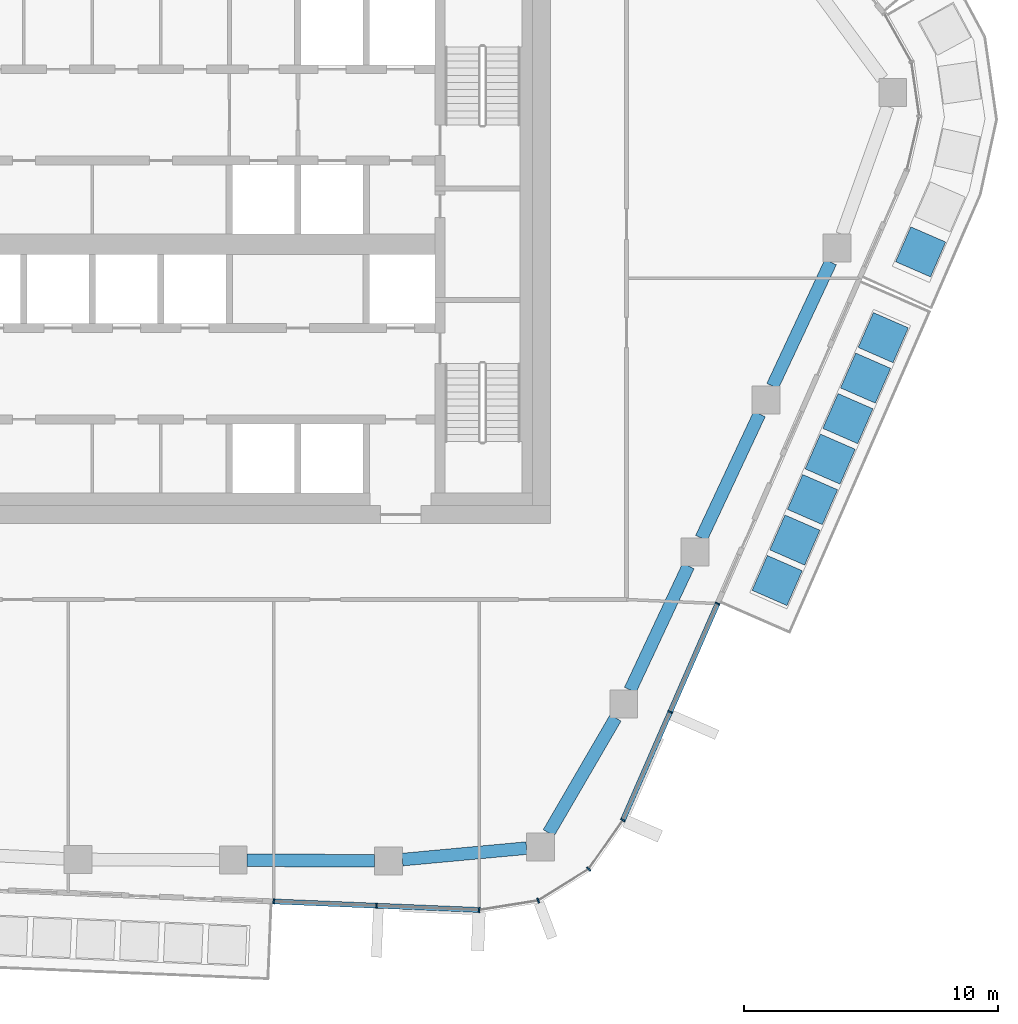
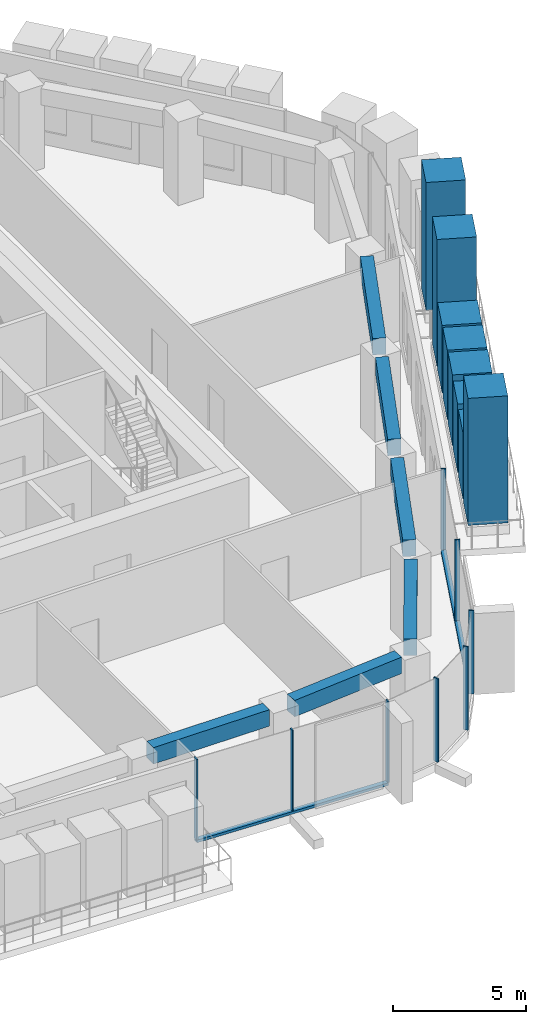
# One storey, part 4 of 20: 18 members, 6 beams, 3 elements without a shape of their own.
"""IFC4 building model written with IfcOpenShell, lengths in metres."""

import ifcopenshell
import ifcopenshell.guid

model = None  # the IFC model being written
_history = None  # IfcOwnerHistory: only IFC2X3 demands one
_inside = {}  # id of a spatial element -> (the spatial element, [elements in it])
_under = {}  # id of a project, library or spatial element -> (it, [spatial elements below it])
_declared = {}  # id of a project -> (the project, [libraries it declares])
_typed = {}  # id of a type object -> (the type object, [elements of that type])
_made_of = {}  # id of a material, layer set ... -> (it, [elements and type objects made of it])


def new_model(schema):
    """Start an empty IFC model of exactly this schema.

    Asked for "IFC4X3", IfcOpenShell would pick the latest addendum, in which some entities
    have other attributes; the version numbers below select the first issue.
    IFC2X3 requires an IfcOwnerHistory on every rooted entity: one is made here for all.
    """
    global model, _history
    if schema == "IFC4X3":
        model = ifcopenshell.file(schema_version=(4, 3, 0, 0))
    else:
        model = ifcopenshell.file(schema=schema)
    _inside.clear()
    _under.clear()
    _declared.clear()
    _typed.clear()
    _made_of.clear()
    _history = None
    if model.schema == "IFC2X3":
        org = make("IfcOrganization", Name="unknown")
        user = make(
            "IfcPersonAndOrganization",
            ThePerson=make("IfcPerson", FamilyName="unknown"),
            TheOrganization=org,
        )
        app = make(
            "IfcApplication",
            ApplicationDeveloper=org,
            Version="unknown",
            ApplicationFullName="unknown",
            ApplicationIdentifier="unknown",
        )
        _history = make(
            "IfcOwnerHistory",
            OwningUser=user,
            OwningApplication=app,
            ChangeAction="ADDED",
            CreationDate=0,
        )
    return model


def make(cls, **values):
    """One entity of the class cls with the attributes given. An attribute that is None is left unset."""
    return model.create_entity(
        cls, **{name: value for name, value in values.items() if value is not None}
    )


def rooted(cls, **values):
    """An entity with a GlobalId (a new one), such as an element, a storey or a relation."""
    return make(cls, GlobalId=ifcopenshell.guid.new(), OwnerHistory=_history, **values)


def si_unit(unit_type, name, prefix=None):
    """IfcSIUnit, for example si_unit("LENGTHUNIT", "METRE", prefix="MILLI")."""
    return make("IfcSIUnit", UnitType=unit_type, Prefix=prefix, Name=name)


def assignment(units):
    """IfcUnitAssignment: the units of a project."""
    return None if units is None else make("IfcUnitAssignment", Units=units)


def point(xyz):
    """IfcCartesianPoint."""
    return None if xyz is None else make("IfcCartesianPoint", Coordinates=xyz)


def direction(xyz):
    """IfcDirection."""
    return None if xyz is None else make("IfcDirection", DirectionRatios=xyz)


def frame(location, z_axis=None, x_axis=None):
    """IfcAxis2Placement3D, a coordinate frame: its origin and axes. An axis left out is left unset."""
    return make(
        "IfcAxis2Placement3D",
        Location=point(location),
        Axis=direction(z_axis),
        RefDirection=direction(x_axis),
    )


def frame_2d(location, x_axis=None):
    """IfcAxis2Placement2D, a coordinate frame in the plane: its origin and x axis."""
    return make(
        "IfcAxis2Placement2D", Location=point(location), RefDirection=direction(x_axis)
    )


def origin():
    """The frame at (0, 0, 0) with its axes left unset."""
    return frame((0.0, 0.0, 0.0))


def origin_2d():
    """The frame at (0, 0) in the plane with its x axis left unset."""
    return frame_2d((0.0, 0.0))


def place(relative_to, where):
    """IfcLocalPlacement: puts the frame where relative to a parent placement (None: the world)."""
    return make(
        "IfcLocalPlacement", PlacementRelTo=relative_to, RelativePlacement=where
    )


def context(
    kind, dimensions, precision=None, world=None, true_north=None, identifier=None
):
    """IfcGeometricRepresentationContext, for example the 3D "Model" context."""
    return make(
        "IfcGeometricRepresentationContext",
        ContextIdentifier=identifier,
        ContextType=kind,
        CoordinateSpaceDimension=dimensions,
        Precision=precision,
        WorldCoordinateSystem=world,
        TrueNorth=true_north,
    )


def subcontext(parent, identifier, kind, view, scale=None):
    """IfcGeometricRepresentationSubContext, for example "Body" below "Model"."""
    return make(
        "IfcGeometricRepresentationSubContext",
        ContextIdentifier=identifier,
        ContextType=kind,
        ParentContext=parent,
        TargetScale=scale,
        TargetView=view,
    )


def project(units=None, contexts=None):
    """IfcProject with its units and contexts."""
    return rooted(
        "IfcProject",
        Name="project",
        RepresentationContexts=contexts,
        UnitsInContext=assignment(units),
    )


def spatial(cls, under=None, at=None, **own):
    """A site, building, storey or space (cls), placed at a placement, below another one or the project."""
    s = rooted(cls, ObjectPlacement=at, **own)
    if under is not None:
        _under.setdefault(under.id(), (under, []))[1].append(s)
    return s


def profile(cls, at=None, kind="AREA", **sizes):
    """A parametric profile (cls). Its sizes go by their IFC names, for example OverallWidth=200.0."""
    return make(cls, ProfileType=kind, Position=at, **sizes)


def rectangle(**sizes):
    """IfcRectangleProfileDef."""
    return profile("IfcRectangleProfileDef", **sizes)


def extrude(swept, where, along, depth):
    """IfcExtrudedAreaSolid: the profile swept, set in the frame where, extruded along a direction by depth."""
    return make(
        "IfcExtrudedAreaSolid",
        SweptArea=swept,
        Position=where,
        ExtrudedDirection=direction(along),
        Depth=depth,
    )


def shape(context_of_items, identifier, shape_type, items):
    """IfcShapeRepresentation: the items that make up one representation, for example the "Body"."""
    return make(
        "IfcShapeRepresentation",
        ContextOfItems=context_of_items,
        RepresentationIdentifier=identifier,
        RepresentationType=shape_type,
        Items=items,
    )


def material(Name=None, Category=None):
    """IfcMaterial."""
    return make("IfcMaterial", Name=Name, Category=Category)


def layer(
    of_material, thickness, ventilated=None, Name=None, Category=None, Priority=None
):
    """IfcMaterialLayer: one layer of a wall or slab, of a material (None: an air gap)."""
    return make(
        "IfcMaterialLayer",
        Material=of_material,
        LayerThickness=thickness,
        IsVentilated=ventilated,
        Name=Name,
        Category=Category,
        Priority=Priority,
    )


def layer_set(layers, Name=None):
    """IfcMaterialLayerSet."""
    return make("IfcMaterialLayerSet", MaterialLayers=layers, LayerSetName=Name)


def material_profile(
    of_material, cross_section, Name=None, Category=None, Priority=None
):
    """IfcMaterialProfile: a cross section and its material."""
    return make(
        "IfcMaterialProfile",
        Name=Name,
        Material=of_material,
        Profile=cross_section,
        Priority=Priority,
        Category=Category,
    )


def profile_set(profiles, Name=None, composite=None):
    """IfcMaterialProfileSet."""
    return make(
        "IfcMaterialProfileSet",
        Name=Name,
        MaterialProfiles=profiles,
        CompositeProfile=composite,
    )


def made_of(thing, what):
    """Note that an element or type object is made of a material, layer set ...; save() writes the relation."""
    if what is not None:
        _made_of.setdefault(what.id(), (what, []))[1].append(thing)
    return thing


def type_object(cls, material=None, **own):
    """A type object (cls), such as IfcWallType, which elements share."""
    return made_of(rooted(cls, **own), material)


def element(
    cls,
    number,
    at=None,
    inside=None,
    cuts=None,
    type_object=None,
    material=None,
    context=None,
    identifier="Body",
    shape_type=None,
    held_by="IfcProductDefinitionShape",
    body=None,
    shapes=None,
    **own,
):
    """One element of the class cls, such as IfcWall. Its Tag is "e" and its number.

    at: its placement. inside: the storey or other place that contains it. cuts: it is an
    opening in that element (IfcRelVoidsElement). A single representation is given by context,
    identifier, shape_type and body (its items); several are given by shapes. held_by: the class
    of the entity that holds the representations. save() writes the other relations.
    """
    e = rooted(cls, Tag="e%d" % number, ObjectPlacement=at, **own)
    if body is not None:
        shapes = [shape(context, identifier, shape_type, body)]
    if shapes is not None:
        e.Representation = make(held_by, Representations=shapes)
    if inside is not None:
        _inside.setdefault(inside.id(), (inside, []))[1].append(e)
    if cuts is not None:
        rooted(
            "IfcRelVoidsElement", RelatingBuildingElement=cuts, RelatedOpeningElement=e
        )
    if type_object is not None:
        _typed.setdefault(type_object.id(), (type_object, []))[1].append(e)
    return made_of(e, material)


def aggregate(whole, parts):
    """IfcRelAggregates: a whole, such as a stair, and the parts it consists of."""
    return rooted("IfcRelAggregates", RelatingObject=whole, RelatedObjects=parts)


def save(model, path):
    """Write the relations noted so far, then the file.

    IfcRelAggregates (storeys below a building ...), IfcRelContainedInSpatialStructure (elements
    in a storey), IfcRelDefinesByType, IfcRelAssociatesMaterial and IfcRelDeclares: one each for
    every whole, place, type object, material and project.
    """
    for whole, parts in _under.values():
        aggregate(whole, parts)
    for where, things in _inside.values():
        rooted(
            "IfcRelContainedInSpatialStructure",
            RelatedElements=things,
            RelatingStructure=where,
        )
    for kind, things in _typed.values():
        rooted("IfcRelDefinesByType", RelatedObjects=things, RelatingType=kind)
    for what, things in _made_of.values():
        rooted("IfcRelAssociatesMaterial", RelatedObjects=things, RelatingMaterial=what)
    for by, libraries in _declared.values():
        rooted("IfcRelDeclares", RelatingContext=by, RelatedDefinitions=libraries)
    model.write(path)


model = new_model("IFC4")

# Units and contexts
model_context = context("Model", 3, precision=1e-05, world=origin(), true_north=direction((0.0, 1.0)))
body_context = subcontext(model_context, "Body", "Model", "MODEL_VIEW")
ifc_project = project(units=[si_unit("LENGTHUNIT", "METRE"), si_unit("AREAUNIT", "SQUARE_METRE"), si_unit("VOLUMEUNIT", "CUBIC_METRE"), si_unit("PLANEANGLEUNIT", "RADIAN"), si_unit("MASSUNIT", "GRAM", prefix="KILO")], contexts=[model_context])

# Site, building, storey
site_placement = place(None, origin())
site = spatial("IfcSite", under=ifc_project, at=site_placement, CompositionType="ELEMENT")
building_placement = place(site_placement, origin())
building = spatial("IfcBuilding", under=site, at=building_placement, Name="Dongbaek Canopy Tower", CompositionType="ELEMENT")
storey_placement = place(building_placement, frame((0.0, 0.0, 249.60009765625)))
storey = spatial("IfcBuildingStorey", under=building, at=storey_placement, Name="L52", CompositionType="ELEMENT", Elevation=249.60009765625)

# Curtain wall, members
ifc_material_1 = material(Name="Aluminium 6063-T6 pale anodised", Category="aluminium")
ifc_layer = layer(ifc_material_1, 0.199951171875)
ifc_layer_set = layer_set([ifc_layer], Name="CW-1 unitised tower curtain wall")
curtain_wall_type = type_object("IfcCurtainWallType", Name="CW-1 unitised tower curtain wall", PredefinedType="NOTDEFINED", material=ifc_layer_set)
curtain_wall_1_placement = place(storey_placement, origin())
curtain_wall_1 = element("IfcCurtainWall", 1, at=curtain_wall_1_placement, inside=storey, type_object=curtain_wall_type, Name="CW-1 curtain wall F4.1", PredefinedType="NOTDEFINED")
ifc_material_2 = material(Name="Aluminium 6063-T6 pale anodised", Category="aluminium")
ifc_material_profile_1 = material_profile(ifc_material_2, rectangle(XDim=0.199951171875, YDim=0.06005859375, at=origin_2d()), Name="CW-1 mullion 60 x 200")
ifc_profile_set_1 = profile_set([ifc_material_profile_1], Name="Aluminium 6063-T6 pale anodised")
member_type_1 = type_object("IfcMemberType", Name="CW-1 mullion 60 x 200", PredefinedType="MULLION", material=ifc_profile_set_1)
member_1_placement = place(storey_placement, frame((3.097900390625, -25.899169921875, 0.119873046875), z_axis=(0.0, 0.0, 1.0), x_axis=(-0.041481315027, -0.999139279832, 0.0)))
member_1 = element("IfcMember", 2, at=member_1_placement, type_object=member_type_1, Name="CW-1 mullion F4.1.1", PredefinedType="MULLION", context=body_context, shape_type="SweptSolid", body=[
    extrude(rectangle(XDim=0.199951171875, YDim=0.06005859375, at=origin_2d()), origin(), (0.0, 0.0, 1.0), 3.699951171875),
])
member_2_placement = place(storey_placement, frame((7.151123046875, -26.0673828125, 0.119873046875), z_axis=(0.0, 0.0, 1.0), x_axis=(-0.041481315027, -0.999139279832, 0.0)))
member_2 = element("IfcMember", 3, at=member_2_placement, type_object=member_type_1, Name="CW-1 mullion F4.1.2", PredefinedType="MULLION", context=body_context, shape_type="SweptSolid", body=[
    extrude(rectangle(XDim=0.199951171875, YDim=0.06005859375, at=origin_2d()), origin(), (0.0, 0.0, 1.0), 3.699951171875),
])
member_3_placement = place(storey_placement, frame((11.194091796875, -26.2353515625, 0.119873046875), z_axis=(0.0, 0.0, 1.0), x_axis=(-0.041481315027, -0.999139279832, 0.0)))
member_3 = element("IfcMember", 4, at=member_3_placement, type_object=member_type_1, Name="CW-1 mullion F4.1.3", PredefinedType="MULLION", context=body_context, shape_type="SweptSolid", body=[
    extrude(rectangle(XDim=0.199951171875, YDim=0.06005859375, at=origin_2d()), origin(), (0.0, 0.0, 1.0), 3.699951171875),
])

curtain_wall_2_placement = place(storey_placement, origin())
curtain_wall_2 = element("IfcCurtainWall", 5, at=curtain_wall_2_placement, inside=storey, type_object=curtain_wall_type, Name="CW-1 curtain wall K5.1", PredefinedType="NOTDEFINED")
member_4_placement = place(storey_placement, frame((13.51904296875, -25.863525390625, 0.0), z_axis=(0.0, 0.0, 1.0), x_axis=(0.351016909849, -0.936369120059, 0.0)))
member_4 = element("IfcMember", 6, at=member_4_placement, type_object=member_type_1, Name="CW-1 mullion K5.1.2", PredefinedType="MULLION", context=body_context, shape_type="SweptSolid", body=[
    extrude(rectangle(XDim=0.199951171875, YDim=0.06005859375, at=origin_2d()), origin(), (0.0, 0.0, 1.0), 3.81982421875),
])
member_5_placement = place(storey_placement, frame((15.507080078125, -24.62060546875, 0.0), z_axis=(0.0, 0.0, 1.0), x_axis=(0.688056235783, -0.72565736846, 0.0)))
member_5 = element("IfcMember", 7, at=member_5_placement, type_object=member_type_1, Name="CW-1 mullion K5.1.3", PredefinedType="MULLION", context=body_context, shape_type="SweptSolid", body=[
    extrude(rectangle(XDim=0.199951171875, YDim=0.06005859375, at=origin_2d()), origin(), (0.0, 0.0, 1.0), 3.81982421875),
])
member_6_placement = place(storey_placement, frame((16.859619140625, -22.693359375, 0.0), z_axis=(0.0, 0.0, 1.0), x_axis=(0.818549902753, -0.574435424311, 0.0)))
member_6 = element("IfcMember", 8, at=member_6_placement, type_object=member_type_1, Name="CW-1 mullion K5.1.4", PredefinedType="MULLION", context=body_context, shape_type="SweptSolid", body=[
    extrude(rectangle(XDim=0.199951171875, YDim=0.06005859375, at=origin_2d()), origin(), (0.0, 0.0, 1.0), 3.81982421875),
])
aggregate(curtain_wall_2, [member_4, member_5, member_6])

curtain_wall_3_placement = place(storey_placement, origin())
curtain_wall_3 = element("IfcCurtainWall", 9, at=curtain_wall_3_placement, inside=storey, type_object=curtain_wall_type, Name="CW-1 curtain wall F5.1", PredefinedType="NOTDEFINED")
member_7_placement = place(storey_placement, frame((18.721923828125, -18.43017578125, 0.119873046875), z_axis=(0.0, 0.0, 1.0), x_axis=(0.9163861515, -0.400295417584, 0.0)))
member_7 = element("IfcMember", 10, at=member_7_placement, type_object=member_type_1, Name="CW-1 mullion F5.1.2", PredefinedType="MULLION", context=body_context, shape_type="SweptSolid", body=[
    extrude(rectangle(XDim=0.199951171875, YDim=0.06005859375, at=origin_2d()), origin(), (0.0, 0.0, 1.0), 3.699951171875),
])
member_8_placement = place(storey_placement, frame((20.588134765625, -14.15771484375, 0.119873046875), z_axis=(0.0, 0.0, 1.0), x_axis=(0.9163861515, -0.400295417584, 0.0)))
member_8 = element("IfcMember", 11, at=member_8_placement, type_object=member_type_1, Name="CW-1 mullion F5.1.3", PredefinedType="MULLION", context=body_context, shape_type="SweptSolid", body=[
    extrude(rectangle(XDim=0.199951171875, YDim=0.06005859375, at=origin_2d()), origin(), (0.0, 0.0, 1.0), 3.699951171875),
])

# Member
ifc_material_3 = material(Name="Aluminium 6063-T6 pale anodised", Category="aluminium")
ifc_material_profile_2 = material_profile(ifc_material_3, rectangle(XDim=0.199951171875, YDim=0.1201171875, at=origin_2d()), Name="CW-1 transom 120 x 200")
ifc_profile_set_2 = profile_set([ifc_material_profile_2], Name="Aluminium 6063-T6 pale anodised")
member_type_2 = type_object("IfcMemberType", Name="CW-1 transom 120 x 200", PredefinedType="USERDEFINED", material=ifc_profile_set_2)
member_9_placement = place(storey_placement, frame((3.097900390625, -25.899169921875, 0.059814453125), z_axis=(0.999139015582, -0.041487679406, 0.0), x_axis=(0.041487679406, 0.999139015582, 0.0)))
member_9 = element("IfcMember", 12, at=member_9_placement, type_object=member_type_2, Name="CW-1 transom F4.1.1", ObjectType="TRANSOM", PredefinedType="USERDEFINED", context=body_context, shape_type="SweptSolid", body=[
    extrude(rectangle(XDim=0.199951171875, YDim=0.1201171875, at=origin_2d()), origin(), (0.0, 0.0, 1.0), 8.103271484375),
])

aggregate(curtain_wall_1, [member_1, member_2, member_3, member_9])

member_10_placement = place(storey_placement, frame((16.859619140625, -22.693359375, 0.059814453125), z_axis=(0.400293518041, 0.916386981256, 0.0), x_axis=(-0.916386981256, 0.400293518041, 0.0)))
member_10 = element("IfcMember", 13, at=member_10_placement, type_object=member_type_2, Name="CW-1 transom F5.1.1", ObjectType="TRANSOM", PredefinedType="USERDEFINED", context=body_context, shape_type="SweptSolid", body=[
    extrude(rectangle(XDim=0.199951171875, YDim=0.1201171875, at=origin_2d()), origin(), (0.0, 0.0, 1.0), 9.314453125),
])

aggregate(curtain_wall_3, [member_7, member_8, member_10])

# Beams
ifc_material_4 = material(Name="Concrete C70", Category="concrete")
ifc_material_profile_3 = material_profile(ifc_material_4, rectangle(XDim=0.5, YDim=0.75, at=origin_2d()), Name="RC EDGE BEAM 500x750 C70")
ifc_profile_set_3 = profile_set([ifc_material_profile_3], Name="Concrete C70")
beam_type = type_object("IfcBeamType", Name="RC EDGE BEAM 500x750 C70", PredefinedType="BEAM", material=ifc_profile_set_3)
beam_1_placement = place(storey_placement, frame((13.06201171875, -23.796875, 3.44482421875), z_axis=(-0.995758214652, -0.092008575434, 0.0), x_axis=(0.092008575434, -0.995758214652, 0.0)))
element("IfcBeam", 14, at=beam_1_placement, inside=storey, type_object=beam_type, Name="EDGEBEAM:L52:00", PredefinedType="BEAM", context=body_context, shape_type="SweptSolid", body=[
    extrude(rectangle(XDim=0.5, YDim=0.75, at=origin_2d()), origin(), (0.0, 0.0, 1.0), 4.916748046875),
])
beam_2_placement = place(storey_placement, frame((7.06591796875, -24.297607421875, 3.44482421875), z_axis=(-0.999989301171, 0.004625747851, 0.0), x_axis=(-0.004625747851, -0.999989301171, 0.0)))
element("IfcBeam", 15, at=beam_2_placement, inside=storey, type_object=beam_type, Name="EDGEBEAM:L52:01", PredefinedType="BEAM", context=body_context, shape_type="SweptSolid", body=[
    extrude(rectangle(XDim=0.5, YDim=0.75, at=origin_2d()), origin(), (0.0, 0.0, 1.0), 5.013916015625),
])
beam_3_placement = place(storey_placement, frame((25.04443359375, -0.701904296875, 3.44482421875), z_axis=(-0.423972479832, -0.905675072167, 0.0), x_axis=(0.905675072167, -0.423972479832, 0.0)))
element("IfcBeam", 16, at=beam_3_placement, inside=storey, type_object=beam_type, Name="EDGEBEAM:L52:22", PredefinedType="BEAM", context=body_context, shape_type="SweptSolid", body=[
    extrude(rectangle(XDim=0.5, YDim=0.75, at=origin_2d()), origin(), (0.0, 0.0, 1.0), 5.396240234375),
])
beam_4_placement = place(storey_placement, frame((22.241455078125, -6.68896484375, 3.44482421875), z_axis=(-0.424105880993, -0.905612611279, 0.0), x_axis=(0.905612611279, -0.424105880993, 0.0)))
element("IfcBeam", 17, at=beam_4_placement, inside=storey, type_object=beam_type, Name="EDGEBEAM:L52:23", PredefinedType="BEAM", context=body_context, shape_type="SweptSolid", body=[
    extrude(rectangle(XDim=0.5, YDim=0.75, at=origin_2d()), origin(), (0.0, 0.0, 1.0), 5.3974609375),
])
beam_5_placement = place(storey_placement, frame((19.437255859375, -12.677001953125, 3.44482421875), z_axis=(-0.424249579949, -0.905545301966, 0.0), x_axis=(0.905545301966, -0.424249579949, 0.0)))
element("IfcBeam", 18, at=beam_5_placement, inside=storey, type_object=beam_type, Name="EDGEBEAM:L52:24", PredefinedType="BEAM", context=body_context, shape_type="SweptSolid", body=[
    extrude(rectangle(XDim=0.5, YDim=0.75, at=origin_2d()), origin(), (0.0, 0.0, 1.0), 5.396728515625),
])
beam_6_placement = place(storey_placement, frame((16.56982421875, -18.6640625, 3.44482421875), z_axis=(-0.503022590015, -0.864273263462, 0.0), x_axis=(0.864273263462, -0.503022590015, 0.0)))
element("IfcBeam", 19, at=beam_6_placement, inside=storey, type_object=beam_type, Name="EDGEBEAM:L52:25", PredefinedType="BEAM", context=body_context, shape_type="SweptSolid", body=[
    extrude(rectangle(XDim=0.5, YDim=0.75, at=origin_2d()), origin(), (0.0, 0.0, 1.0), 5.24365234375),
])

# Members
ifc_material_5 = material(Name="Concrete C40/50 planter mass with planting", Category="concrete")
ifc_material_profile_4 = material_profile(ifc_material_5, rectangle(XDim=1.5, YDim=1.5, at=origin_2d()), Name="Terrace PLANTER shrub mass 1500 x 1500")
ifc_profile_set_4 = profile_set([ifc_material_profile_4], Name="Concrete C40/50 planter mass with planting")
member_type_3 = type_object("IfcMemberType", Name="Terrace PLANTER shrub mass 1500 x 1500", PredefinedType="USERDEFINED", material=ifc_profile_set_4)
member_11_placement = place(storey_placement, frame((22.93701171875, -13.251953125, 0.419921875), z_axis=(0.0, 0.0, 1.0), x_axis=(0.9163861515, -0.400295417584, 0.0)))
element("IfcMember", 20, at=member_11_placement, inside=storey, type_object=member_type_3, Name="Planter tree L52 5.1", ObjectType="PLANTER", PredefinedType="USERDEFINED", context=body_context, shape_type="SweptSolid", body=[
    extrude(rectangle(XDim=1.5, YDim=1.5, at=origin_2d()), origin(), (0.0, 0.0, 1.0), 5.81005859375),
])
member_12_placement = place(storey_placement, frame((23.634033203125, -11.656494140625, 0.419921875), z_axis=(0.0, 0.0, 1.0), x_axis=(0.9163861515, -0.400295417584, 0.0)))
element("IfcMember", 21, at=member_12_placement, inside=storey, type_object=member_type_3, Name="Planter shrubs L52 5.2", ObjectType="PLANTER", PredefinedType="USERDEFINED", context=body_context, shape_type="SweptSolid", body=[
    extrude(rectangle(XDim=1.5, YDim=1.5, at=origin_2d()), origin(), (0.0, 0.0, 1.0), 3.050048828125),
])
member_13_placement = place(storey_placement, frame((24.330810546875, -10.06103515625, 0.419921875), z_axis=(0.0, 0.0, 1.0), x_axis=(0.9163861515, -0.400295417584, 0.0)))
element("IfcMember", 22, at=member_13_placement, inside=storey, type_object=member_type_3, Name="Planter shrubs L52 5.3", ObjectType="PLANTER", PredefinedType="USERDEFINED", context=body_context, shape_type="SweptSolid", body=[
    extrude(rectangle(XDim=1.5, YDim=1.5, at=origin_2d()), origin(), (0.0, 0.0, 1.0), 3.1298828125),
])
member_14_placement = place(storey_placement, frame((25.02783203125, -8.4658203125, 0.419921875), z_axis=(0.0, 0.0, 1.0), x_axis=(0.9163861515, -0.400295417584, 0.0)))
element("IfcMember", 23, at=member_14_placement, inside=storey, type_object=member_type_3, Name="Planter shrubs L52 5.4", ObjectType="PLANTER", PredefinedType="USERDEFINED", context=body_context, shape_type="SweptSolid", body=[
    extrude(rectangle(XDim=1.5, YDim=1.5, at=origin_2d()), origin(), (0.0, 0.0, 1.0), 3.25),
])
member_15_placement = place(storey_placement, frame((25.724609375, -6.870361328125, 0.419921875), z_axis=(0.0, 0.0, 1.0), x_axis=(0.9163861515, -0.400295417584, 0.0)))
element("IfcMember", 24, at=member_15_placement, inside=storey, type_object=member_type_3, Name="Planter shrubs L52 5.5", ObjectType="PLANTER", PredefinedType="USERDEFINED", context=body_context, shape_type="SweptSolid", body=[
    extrude(rectangle(XDim=1.5, YDim=1.5, at=origin_2d()), origin(), (0.0, 0.0, 1.0), 3.169921875),
])
member_16_placement = place(storey_placement, frame((26.421630859375, -5.27490234375, 0.419921875), z_axis=(0.0, 0.0, 1.0), x_axis=(0.9163861515, -0.400295417584, 0.0)))
element("IfcMember", 25, at=member_16_placement, inside=storey, type_object=member_type_3, Name="Planter shrubs L52 5.6", ObjectType="PLANTER", PredefinedType="USERDEFINED", context=body_context, shape_type="SweptSolid", body=[
    extrude(rectangle(XDim=1.5, YDim=1.5, at=origin_2d()), origin(), (0.0, 0.0, 1.0), 3.090087890625),
])
member_17_placement = place(storey_placement, frame((27.118408203125, -3.679443359375, 0.419921875), z_axis=(0.0, 0.0, 1.0), x_axis=(0.9163861515, -0.400295417584, 0.0)))
element("IfcMember", 26, at=member_17_placement, inside=storey, type_object=member_type_3, Name="Planter tree L52 5.7", ObjectType="PLANTER", PredefinedType="USERDEFINED", context=body_context, shape_type="SweptSolid", body=[
    extrude(rectangle(XDim=1.5, YDim=1.5, at=origin_2d()), origin(), (0.0, 0.0, 1.0), 5.81005859375),
])
member_18_placement = place(storey_placement, frame((28.593017578125, -0.299560546875, 0.419921875), z_axis=(0.0, 0.0, 1.0), x_axis=(0.917131470952, -0.398584827846, 0.0)))
element("IfcMember", 27, at=member_18_placement, inside=storey, type_object=member_type_3, Name="Planter tree L52 6.1", ObjectType="PLANTER", PredefinedType="USERDEFINED", context=body_context, shape_type="SweptSolid", body=[
    extrude(rectangle(XDim=1.5, YDim=1.5, at=origin_2d()), origin(), (0.0, 0.0, 1.0), 5.85009765625),
])

save(model, "model.ifc")
